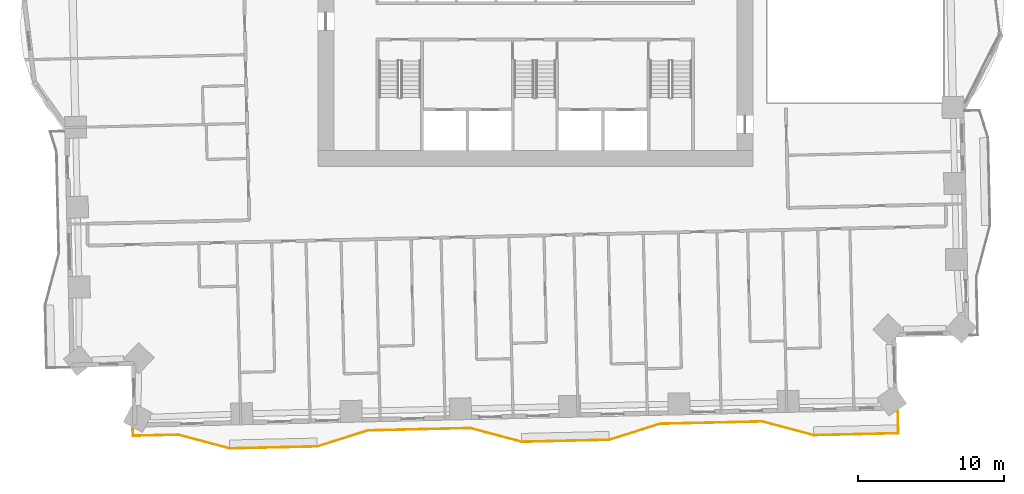
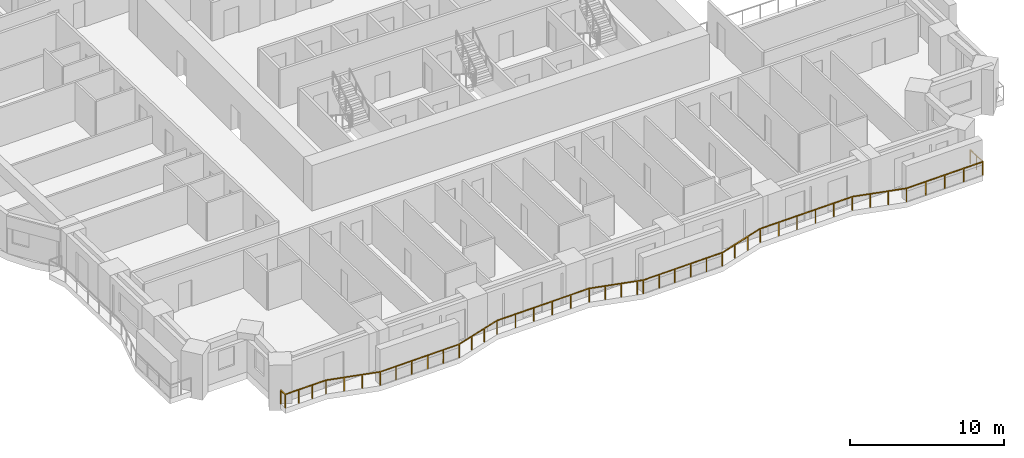
# One storey, part 14 of 16: 1 railing.
"""IFC4 building model written with IfcOpenShell, lengths in metres."""

from ifc_helpers import new_model, si_unit, direction, frame, origin, origin_2d, place, context, subcontext, project, spatial, rectangle, extrude, material, type_object, element, save


model = new_model("IFC4")

# Units and contexts
model_context = context("Model", 3, precision=1e-05, world=origin(), true_north=direction((0.0, 1.0)))
body_context = subcontext(model_context, "Body", "Model", "MODEL_VIEW")
ifc_project = project(units=[si_unit("LENGTHUNIT", "METRE"), si_unit("AREAUNIT", "SQUARE_METRE"), si_unit("VOLUMEUNIT", "CUBIC_METRE"), si_unit("PLANEANGLEUNIT", "RADIAN"), si_unit("MASSUNIT", "GRAM", prefix="KILO")], contexts=[model_context])

# Site, building, storey
site_placement = place(None, origin())
site = spatial("IfcSite", under=ifc_project, at=site_placement, CompositionType="ELEMENT")
building_placement = place(site_placement, origin())
building = spatial("IfcBuilding", under=site, at=building_placement, Name="Mangrove Gate Tower", CompositionType="ELEMENT")
storey_placement = place(building_placement, frame((0.0, 0.0, 48.5)))
storey = spatial("IfcBuildingStorey", under=building, at=storey_placement, Name="L11", CompositionType="ELEMENT", Elevation=48.5)

# Railing
ifc_material = material(Name="Stainless steel grade 316 with laminated glass infill", Category="steel")
railing_type = type_object("IfcRailingType", Name="Balcony guard 1100", PredefinedType="GUARDRAIL", material=ifc_material)
railing_placement = place(storey_placement, frame((-27.568115234375, -29.785888671875, 0.0)))
element("IfcRailing", 1, at=railing_placement, inside=storey, type_object=railing_type, Name="GUARD L11 S1", PredefinedType="GUARDRAIL", context=body_context, shape_type="SweptSolid", body=[
    extrude(rectangle(XDim=0.048095703125, YDim=0.048095703125, at=origin_2d()), frame((0.0, 0.0, 1.076171875), z_axis=(0.022305916825, -0.999751192085, 0.0), x_axis=(0.999751192085, 0.022305916825, 0.0)), (0.0, 0.0, 1.0), 0.54736328125),
    extrude(rectangle(XDim=0.048095703125, YDim=0.048095703125, at=origin_2d()), frame((0.01220703125, -0.547119140625, 1.076171875), z_axis=(0.99974447185, 0.022605110173, 0.0), x_axis=(-0.022605110173, 0.99974447185, 0.0)), (0.0, 0.0, 1.0), 3.099609375),
    extrude(rectangle(XDim=0.048095703125, YDim=0.048095703125, at=origin_2d()), frame((3.111083984375, -0.47705078125, 1.076171875), z_axis=(0.966317161661, -0.257354119999, 0.0), x_axis=(0.257354119999, 0.966317161661, 0.0)), (0.0, 0.0, 1.0), 3.644775390625),
    extrude(rectangle(XDim=0.048095703125, YDim=0.048095703125, at=origin_2d()), frame((6.633056640625, -1.4150390625, 1.076171875), z_axis=(0.999743178102, 0.022662255828, 0.0), x_axis=(-0.022662255828, 0.999743178102, 0.0)), (0.0, 0.0, 1.0), 6.00048828125),
    extrude(rectangle(XDim=0.048095703125, YDim=0.048095703125, at=origin_2d()), frame((12.632080078125, -1.279052734375, 1.076171875), z_axis=(0.953644393819, 0.300935823952, 0.0), x_axis=(-0.300935823952, 0.953644393819, 0.0)), (0.0, 0.0, 1.0), 3.64501953125),
    extrude(rectangle(XDim=0.048095703125, YDim=0.048095703125, at=origin_2d()), frame((16.108154296875, -0.18212890625, 1.076171875), z_axis=(0.999742195543, 0.022705559911, 0.0), x_axis=(-0.022705559911, 0.999742195543, 0.0)), (0.0, 0.0, 1.0), 6.999755859375),
    extrude(rectangle(XDim=0.048095703125, YDim=0.048095703125, at=origin_2d()), frame((23.106201171875, -0.023193359375, 1.076171875), z_axis=(0.966323991971, -0.257328472077, 0.0), x_axis=(0.257328472077, 0.966323991971, 0.0)), (0.0, 0.0, 1.0), 3.228515625),
    extrude(rectangle(XDim=0.048095703125, YDim=0.048095703125, at=origin_2d()), frame((26.22607421875, -0.85400390625, 1.076171875), z_axis=(0.96626414574, -0.257553102598, 0.0), x_axis=(0.257553102598, 0.96626414574, 0.0)), (0.0, 0.0, 1.0), 0.416259765625),
    extrude(rectangle(XDim=0.048095703125, YDim=0.048095703125, at=origin_2d()), frame((26.628173828125, -0.961181640625, 1.076171875), z_axis=(0.999743178102, 0.022662255828, 0.0), x_axis=(-0.022662255828, 0.999743178102, 0.0)), (0.0, 0.0, 1.0), 6.00048828125),
    extrude(rectangle(XDim=0.048095703125, YDim=0.048095703125, at=origin_2d()), frame((32.627197265625, -0.8251953125, 1.076171875), z_axis=(0.953619101619, 0.301015961416, 0.0), x_axis=(-0.301015961416, 0.953619101619, 0.0)), (0.0, 0.0, 1.0), 3.644775390625),
    extrude(rectangle(XDim=0.048095703125, YDim=0.048095703125, at=origin_2d()), frame((36.10302734375, 0.27197265625, 1.076171875), z_axis=(0.999742195543, 0.022705559911, 0.0), x_axis=(-0.022705559911, 0.999742195543, 0.0)), (0.0, 0.0, 1.0), 6.999755859375),
    extrude(rectangle(XDim=0.048095703125, YDim=0.048095703125, at=origin_2d()), frame((43.10107421875, 0.430908203125, 1.076171875), z_axis=(0.966317161661, -0.257354119999, 0.0), x_axis=(0.257354119999, 0.966317161661, 0.0)), (0.0, 0.0, 1.0), 3.644775390625),
    extrude(rectangle(XDim=0.048095703125, YDim=0.048095703125, at=origin_2d()), frame((46.623046875, -0.507080078125, 1.076171875), z_axis=(0.999745494703, 0.022559827607, 0.0), x_axis=(-0.022559827607, 0.999745494703, 0.0)), (0.0, 0.0, 1.0), 5.800537109375),
    extrude(rectangle(XDim=0.048095703125, YDim=0.048095703125, at=origin_2d()), frame((52.422119140625, -0.376220703125, 1.076171875), z_axis=(-0.02293761886, 0.999736898209, 0.0), x_axis=(-0.999736898209, -0.02293761886, 0.0)), (0.0, 0.0, 1.0), 1.564697265625),
    extrude(rectangle(XDim=0.0419921875, YDim=0.0419921875, at=origin_2d()), origin(), (0.0, 0.0, 1.0), 1.052001953125),
    extrude(rectangle(XDim=0.0419921875, YDim=0.0419921875, at=origin_2d()), frame((0.01220703125, -0.547119140625, 0.0)), (0.0, 0.0, 1.0), 1.052001953125),
    extrude(rectangle(XDim=0.0419921875, YDim=0.0419921875, at=origin_2d()), frame((1.045166015625, -0.523681640625, 0.0)), (0.0, 0.0, 1.0), 1.052001953125),
    extrude(rectangle(XDim=0.0419921875, YDim=0.0419921875, at=origin_2d()), frame((2.078125, -0.50048828125, 0.0)), (0.0, 0.0, 1.0), 1.052001953125),
    extrude(rectangle(XDim=0.0419921875, YDim=0.0419921875, at=origin_2d()), frame((3.111083984375, -0.47705078125, 0.0)), (0.0, 0.0, 1.0), 1.052001953125),
    extrude(rectangle(XDim=0.0419921875, YDim=0.0419921875, at=origin_2d()), frame((4.28515625, -0.789794921875, 0.0)), (0.0, 0.0, 1.0), 1.052001953125),
    extrude(rectangle(XDim=0.0419921875, YDim=0.0419921875, at=origin_2d()), frame((5.458984375, -1.102294921875, 0.0)), (0.0, 0.0, 1.0), 1.052001953125),
    extrude(rectangle(XDim=0.0419921875, YDim=0.0419921875, at=origin_2d()), frame((6.633056640625, -1.4150390625, 0.0)), (0.0, 0.0, 1.0), 1.052001953125),
    extrude(rectangle(XDim=0.0419921875, YDim=0.0419921875, at=origin_2d()), frame((7.832763671875, -1.387939453125, 0.0)), (0.0, 0.0, 1.0), 1.052001953125),
    extrude(rectangle(XDim=0.0419921875, YDim=0.0419921875, at=origin_2d()), frame((9.03271484375, -1.360595703125, 0.0)), (0.0, 0.0, 1.0), 1.052001953125),
    extrude(rectangle(XDim=0.0419921875, YDim=0.0419921875, at=origin_2d()), frame((10.232421875, -1.33349609375, 0.0)), (0.0, 0.0, 1.0), 1.052001953125),
    extrude(rectangle(XDim=0.0419921875, YDim=0.0419921875, at=origin_2d()), frame((11.432373046875, -1.30615234375, 0.0)), (0.0, 0.0, 1.0), 1.052001953125),
    extrude(rectangle(XDim=0.0419921875, YDim=0.0419921875, at=origin_2d()), frame((12.632080078125, -1.279052734375, 0.0)), (0.0, 0.0, 1.0), 1.052001953125),
    extrude(rectangle(XDim=0.0419921875, YDim=0.0419921875, at=origin_2d()), frame((13.790771484375, -0.913330078125, 0.0)), (0.0, 0.0, 1.0), 1.052001953125),
    extrude(rectangle(XDim=0.0419921875, YDim=0.0419921875, at=origin_2d()), frame((14.949462890625, -0.5478515625, 0.0)), (0.0, 0.0, 1.0), 1.052001953125),
    extrude(rectangle(XDim=0.0419921875, YDim=0.0419921875, at=origin_2d()), frame((16.108154296875, -0.18212890625, 0.0)), (0.0, 0.0, 1.0), 1.052001953125),
    extrude(rectangle(XDim=0.0419921875, YDim=0.0419921875, at=origin_2d()), frame((17.5078125, -0.150390625, 0.0)), (0.0, 0.0, 1.0), 1.052001953125),
    extrude(rectangle(XDim=0.0419921875, YDim=0.0419921875, at=origin_2d()), frame((18.907470703125, -0.11865234375, 0.0)), (0.0, 0.0, 1.0), 1.052001953125),
    extrude(rectangle(XDim=0.0419921875, YDim=0.0419921875, at=origin_2d()), frame((20.306884765625, -0.086669921875, 0.0)), (0.0, 0.0, 1.0), 1.052001953125),
    extrude(rectangle(XDim=0.0419921875, YDim=0.0419921875, at=origin_2d()), frame((21.70654296875, -0.054931640625, 0.0)), (0.0, 0.0, 1.0), 1.052001953125),
    extrude(rectangle(XDim=0.0419921875, YDim=0.0419921875, at=origin_2d()), frame((23.106201171875, -0.023193359375, 0.0)), (0.0, 0.0, 1.0), 1.052001953125),
    extrude(rectangle(XDim=0.0419921875, YDim=0.0419921875, at=origin_2d()), frame((24.146240234375, -0.300048828125, 0.0)), (0.0, 0.0, 1.0), 1.052001953125),
    extrude(rectangle(XDim=0.0419921875, YDim=0.0419921875, at=origin_2d()), frame((25.18603515625, -0.5771484375, 0.0)), (0.0, 0.0, 1.0), 1.052001953125),
    extrude(rectangle(XDim=0.0419921875, YDim=0.0419921875, at=origin_2d()), frame((26.22607421875, -0.85400390625, 0.0)), (0.0, 0.0, 1.0), 1.052001953125),
    extrude(rectangle(XDim=0.0419921875, YDim=0.0419921875, at=origin_2d()), frame((26.628173828125, -0.961181640625, 0.0)), (0.0, 0.0, 1.0), 1.052001953125),
    extrude(rectangle(XDim=0.0419921875, YDim=0.0419921875, at=origin_2d()), frame((27.827880859375, -0.93408203125, 0.0)), (0.0, 0.0, 1.0), 1.052001953125),
    extrude(rectangle(XDim=0.0419921875, YDim=0.0419921875, at=origin_2d()), frame((29.02783203125, -0.90673828125, 0.0)), (0.0, 0.0, 1.0), 1.052001953125),
    extrude(rectangle(XDim=0.0419921875, YDim=0.0419921875, at=origin_2d()), frame((30.2275390625, -0.879638671875, 0.0)), (0.0, 0.0, 1.0), 1.052001953125),
    extrude(rectangle(XDim=0.0419921875, YDim=0.0419921875, at=origin_2d()), frame((31.427490234375, -0.852294921875, 0.0)), (0.0, 0.0, 1.0), 1.052001953125),
    extrude(rectangle(XDim=0.0419921875, YDim=0.0419921875, at=origin_2d()), frame((32.627197265625, -0.8251953125, 0.0)), (0.0, 0.0, 1.0), 1.052001953125),
    extrude(rectangle(XDim=0.0419921875, YDim=0.0419921875, at=origin_2d()), frame((33.785888671875, -0.45947265625, 0.0)), (0.0, 0.0, 1.0), 1.052001953125),
    extrude(rectangle(XDim=0.0419921875, YDim=0.0419921875, at=origin_2d()), frame((34.9443359375, -0.09375, 0.0)), (0.0, 0.0, 1.0), 1.052001953125),
    extrude(rectangle(XDim=0.0419921875, YDim=0.0419921875, at=origin_2d()), frame((36.10302734375, 0.27197265625, 0.0)), (0.0, 0.0, 1.0), 1.052001953125),
    extrude(rectangle(XDim=0.0419921875, YDim=0.0419921875, at=origin_2d()), frame((37.502685546875, 0.3037109375, 0.0)), (0.0, 0.0, 1.0), 1.052001953125),
    extrude(rectangle(XDim=0.0419921875, YDim=0.0419921875, at=origin_2d()), frame((38.90234375, 0.33544921875, 0.0)), (0.0, 0.0, 1.0), 1.052001953125),
    extrude(rectangle(XDim=0.0419921875, YDim=0.0419921875, at=origin_2d()), frame((40.3017578125, 0.367431640625, 0.0)), (0.0, 0.0, 1.0), 1.052001953125),
    extrude(rectangle(XDim=0.0419921875, YDim=0.0419921875, at=origin_2d()), frame((41.701416015625, 0.399169921875, 0.0)), (0.0, 0.0, 1.0), 1.052001953125),
    extrude(rectangle(XDim=0.0419921875, YDim=0.0419921875, at=origin_2d()), frame((43.10107421875, 0.430908203125, 0.0)), (0.0, 0.0, 1.0), 1.052001953125),
    extrude(rectangle(XDim=0.0419921875, YDim=0.0419921875, at=origin_2d()), frame((44.275146484375, 0.1181640625, 0.0)), (0.0, 0.0, 1.0), 1.052001953125),
    extrude(rectangle(XDim=0.0419921875, YDim=0.0419921875, at=origin_2d()), frame((45.448974609375, -0.1943359375, 0.0)), (0.0, 0.0, 1.0), 1.052001953125),
    extrude(rectangle(XDim=0.0419921875, YDim=0.0419921875, at=origin_2d()), frame((46.623046875, -0.507080078125, 0.0)), (0.0, 0.0, 1.0), 1.052001953125),
    extrude(rectangle(XDim=0.0419921875, YDim=0.0419921875, at=origin_2d()), frame((48.07275390625, -0.474365234375, 0.0)), (0.0, 0.0, 1.0), 1.052001953125),
    extrude(rectangle(XDim=0.0419921875, YDim=0.0419921875, at=origin_2d()), frame((49.5224609375, -0.441650390625, 0.0)), (0.0, 0.0, 1.0), 1.052001953125),
    extrude(rectangle(XDim=0.0419921875, YDim=0.0419921875, at=origin_2d()), frame((50.972412109375, -0.408935546875, 0.0)), (0.0, 0.0, 1.0), 1.052001953125),
    extrude(rectangle(XDim=0.0419921875, YDim=0.0419921875, at=origin_2d()), frame((52.422119140625, -0.376220703125, 0.0)), (0.0, 0.0, 1.0), 1.052001953125),
    extrude(rectangle(XDim=0.0419921875, YDim=0.0419921875, at=origin_2d()), frame((52.404296875, 0.40576171875, 0.0)), (0.0, 0.0, 1.0), 1.052001953125),
    extrude(rectangle(XDim=0.0419921875, YDim=0.0419921875, at=origin_2d()), frame((52.38623046875, 1.18798828125, 0.0)), (0.0, 0.0, 1.0), 1.052001953125),
])

save(model, "model.ifc")
